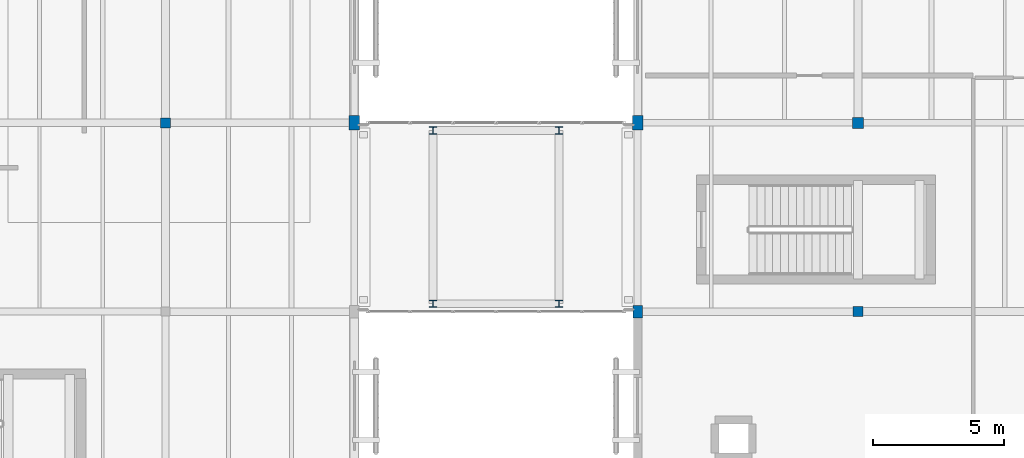
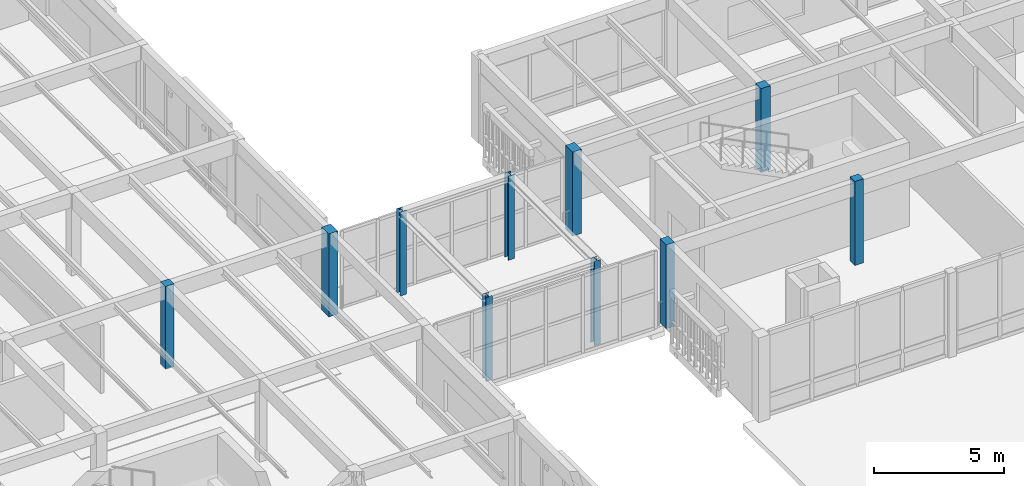
# One storey, part 2 of 217: 10 columns.
"""IFC4 building model written with IfcOpenShell, lengths in metres."""

from ifc_helpers import new_model, si_unit, direction, frame, origin, origin_2d, place, context, subcontext, project, spatial, rectangle, i_section, extrude, material, material_profile, profile_set, type_object, element, save


model = new_model("IFC4")

# Units and contexts
model_context = context("Model", 3, precision=1e-05, world=origin(), true_north=direction((0.0, 1.0)))
body_context = subcontext(model_context, "Body", "Model", "MODEL_VIEW")
ifc_project = project(units=[si_unit("LENGTHUNIT", "METRE"), si_unit("AREAUNIT", "SQUARE_METRE"), si_unit("VOLUMEUNIT", "CUBIC_METRE"), si_unit("PLANEANGLEUNIT", "RADIAN"), si_unit("MASSUNIT", "GRAM", prefix="KILO")], contexts=[model_context])

# Site, building, storey
site_placement = place(None, origin())
site = spatial("IfcSite", under=ifc_project, at=site_placement, CompositionType="ELEMENT")
building_placement = place(site_placement, origin())
building = spatial("IfcBuilding", under=site, at=building_placement, Name="Mazaris Harbour Polytechnic", CompositionType="ELEMENT")
storey_placement = place(building_placement, frame((0.0, 0.0, 9.60009765625)))
storey = spatial("IfcBuildingStorey", under=building, at=storey_placement, Name="L02", CompositionType="ELEMENT", Elevation=9.60009765625)

# Columns
ifc_material_1 = material(Name="Glulam GL28h", Category="wood")
ifc_material_profile_1 = material_profile(ifc_material_1, rectangle(XDim=0.360107421875, YDim=0.47998046875, at=origin_2d()), Name="RECT360x480")
ifc_profile_set_1 = profile_set([ifc_material_profile_1], Name="Glulam GL28h")
column_type_1 = type_object("IfcColumnType", Name="Glulam Column 360x480 Exterior", PredefinedType="COLUMN", material=ifc_profile_set_1)
column_1_placement = place(storey_placement, frame((54.0, 21.60009765625, 0.0), z_axis=(0.0, 0.0, 1.0), x_axis=(1.0, 0.0, 0.0)))
element("IfcColumn", 1, at=column_1_placement, inside=storey, type_object=column_type_1, Name="V3 L02 Column 509", PredefinedType="COLUMN", context=body_context, shape_type="SweptSolid", body=[
    extrude(rectangle(XDim=0.360107421875, YDim=0.47998046875, at=origin_2d()), origin(), (0.0, 0.0, 1.0), 3.934814453125),
])
ifc_material_2 = material(Name="Glulam GL28h", Category="wood")
ifc_material_profile_2 = material_profile(ifc_material_2, rectangle(XDim=0.3798828125, YDim=0.3798828125, at=origin_2d()), Name="RECT380x380")
ifc_profile_set_2 = profile_set([ifc_material_profile_2], Name="Glulam GL28h")
column_type_2 = type_object("IfcColumnType", Name="Glulam Column 380x380", PredefinedType="COLUMN", material=ifc_profile_set_2)
column_2_placement = place(storey_placement, frame((62.39990234375, 21.60009765625, 0.0), z_axis=(0.0, 0.0, 1.0), x_axis=(1.0, 0.0, 0.0)))
element("IfcColumn", 2, at=column_2_placement, inside=storey, type_object=column_type_2, Name="V3 L02 Column 513", PredefinedType="COLUMN", context=body_context, shape_type="SweptSolid", body=[
    extrude(rectangle(XDim=0.3798828125, YDim=0.3798828125, at=origin_2d()), origin(), (0.0, 0.0, 1.0), 3.934814453125),
])
column_3_placement = place(storey_placement, frame((36.0, 28.800048828125, 0.0), z_axis=(0.0, 0.0, 1.0), x_axis=(1.0, 0.0, 0.0)))
element("IfcColumn", 3, at=column_3_placement, inside=storey, type_object=column_type_2, Name="V4 L02 Column 881", PredefinedType="COLUMN", context=body_context, shape_type="SweptSolid", body=[
    extrude(rectangle(XDim=0.3798828125, YDim=0.3798828125, at=origin_2d()), origin(), (0.0, 0.0, 1.0), 3.889892578125),
])
ifc_material_3 = material(Name="Glulam GL28h", Category="wood")
ifc_material_profile_3 = material_profile(ifc_material_3, rectangle(XDim=0.39990234375, YDim=0.5400390625, at=origin_2d()), Name="RECT400x540")
ifc_profile_set_3 = profile_set([ifc_material_profile_3], Name="Glulam GL28h")
column_type_3 = type_object("IfcColumnType", Name="Glulam Column 400x540 Exterior", PredefinedType="COLUMN", material=ifc_profile_set_3)
column_4_placement = place(storey_placement, frame((54.0, 28.800048828125, 0.0), z_axis=(0.0, 0.0, 1.0), x_axis=(1.0, 0.0, 0.0)))
element("IfcColumn", 4, at=column_4_placement, inside=storey, type_object=column_type_3, Name="V3 L02 Column 510", PredefinedType="COLUMN", context=body_context, shape_type="SweptSolid", body=[
    extrude(rectangle(XDim=0.39990234375, YDim=0.5400390625, at=origin_2d()), origin(), (0.0, 0.0, 1.0), 3.934814453125),
])
column_5_placement = place(storey_placement, frame((43.199951171875, 28.800048828125, 0.0), z_axis=(0.0, 0.0, 1.0), x_axis=(1.0, 0.0, 0.0)))
element("IfcColumn", 5, at=column_5_placement, inside=storey, type_object=column_type_3, Name="V4 L02 Column 894", PredefinedType="COLUMN", context=body_context, shape_type="SweptSolid", body=[
    extrude(rectangle(XDim=0.39990234375, YDim=0.5400390625, at=origin_2d()), origin(), (0.0, 0.0, 1.0), 3.889892578125),
])
ifc_material_4 = material(Name="Glulam GL28h", Category="wood")
ifc_material_profile_4 = material_profile(ifc_material_4, rectangle(XDim=0.419921875, YDim=0.419921875, at=origin_2d()), Name="RECT420x420")
ifc_profile_set_4 = profile_set([ifc_material_profile_4], Name="Glulam GL28h")
column_type_4 = type_object("IfcColumnType", Name="Glulam Column 420x420", PredefinedType="COLUMN", material=ifc_profile_set_4)
column_6_placement = place(storey_placement, frame((62.39990234375, 28.800048828125, 0.0), z_axis=(0.0, 0.0, 1.0), x_axis=(1.0, 0.0, 0.0)))
element("IfcColumn", 6, at=column_6_placement, inside=storey, type_object=column_type_4, Name="V3 L02 Column 514", PredefinedType="COLUMN", context=body_context, shape_type="SweptSolid", body=[
    extrude(rectangle(XDim=0.419921875, YDim=0.419921875, at=origin_2d()), origin(), (0.0, 0.0, 1.0), 3.934814453125),
])
ifc_material_5 = material(Name="Steel S355", Category="steel")
ifc_material_profile_5 = material_profile(ifc_material_5, i_section(OverallWidth=0.280029296875, OverallDepth=0.280029296875, WebThickness=0.010498046875, FlangeThickness=0.01806640625, FilletRadius=0.02392578125, at=origin_2d()), Name="HEB 280")
ifc_profile_set_5 = profile_set([ifc_material_profile_5], Name="Steel S355")
column_type_5 = type_object("IfcColumnType", Name="Steel Column HEB280 Exterior", PredefinedType="COLUMN", material=ifc_profile_set_5)
for number, where, z_axis, x_axis, name in (
    (7, (46.199951171875, 21.89990234375, 0.0), (0.0, 0.0, 1.0), (1.0, 0.0, 0.0), "PB-W1 L02 Bridge Column 1520"),
    (8, (51.0, 21.89990234375, 0.0), (0.0, 0.0, 1.0), (1.0, 0.0, 0.0), "PB-W1 L02 Bridge Column 1521"),
    (9, (46.199951171875, 28.5, 0.0), (0.0, 0.0, 1.0), (1.0, 0.0, 0.0), "PB-W1 L02 Bridge Column 1522"),
    (10, (51.0, 28.5, 0.0), (0.0, 0.0, 1.0), (1.0, 0.0, 0.0), "PB-W1 L02 Bridge Column 1523"),
):
    element("IfcColumn", number, at=place(storey_placement, frame(where, z_axis=z_axis, x_axis=x_axis)), inside=storey, type_object=column_type_5, Name=name, PredefinedType="COLUMN", context=body_context, shape_type="SweptSolid", body=[
        extrude(i_section(OverallWidth=0.280029296875, OverallDepth=0.280029296875, WebThickness=0.010498046875, FlangeThickness=0.01806640625, FilletRadius=0.02392578125, at=origin_2d()), origin(), (0.0, 0.0, 1.0), 3.934814453125),
    ])

save(model, "model.ifc")
